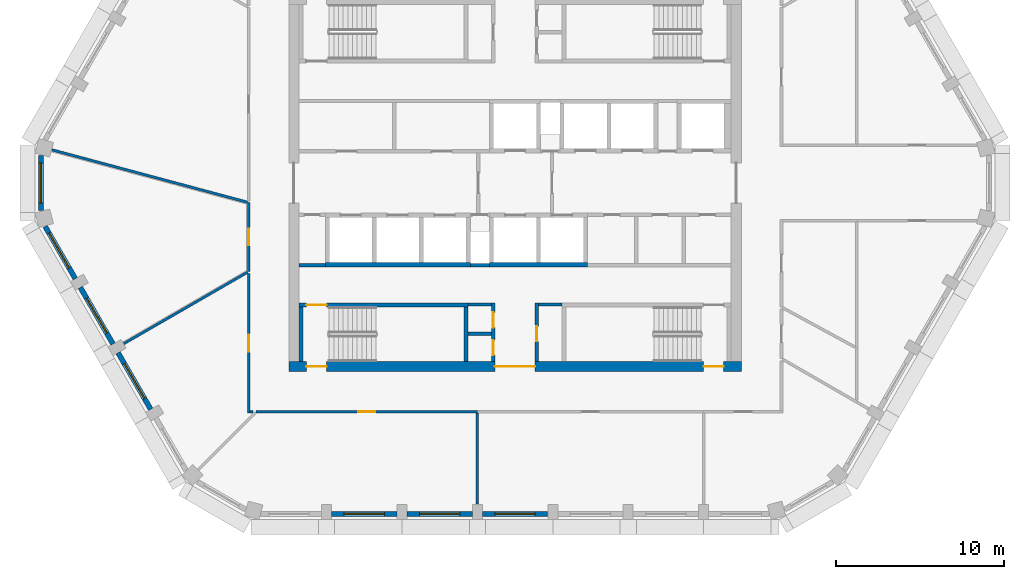
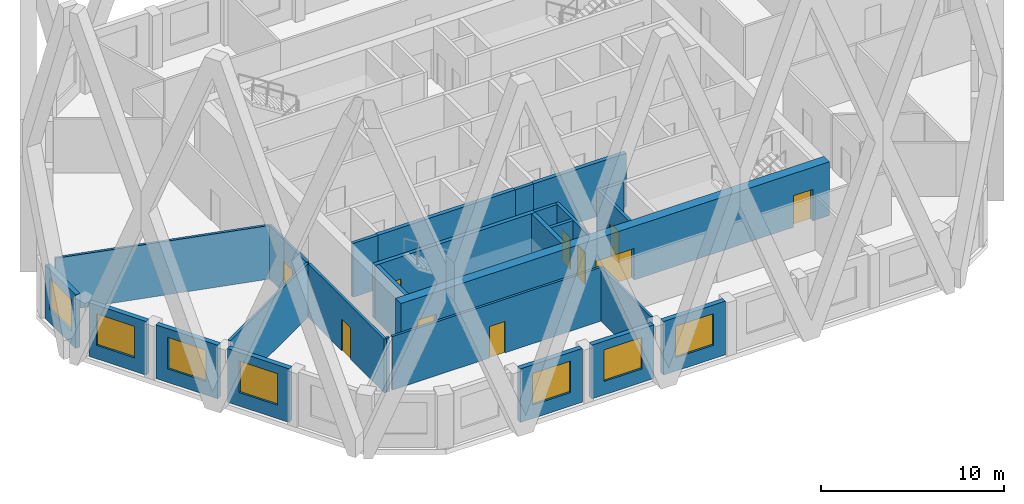
# One storey, part 2 of 14: 27 walls, 10 doors, 7 windows, 17 openings.
"""IFC4 building model written with IfcOpenShell, lengths in metres."""

import ifcopenshell
import ifcopenshell.guid

model = None  # the IFC model being written
_history = None  # IfcOwnerHistory: only IFC2X3 demands one
_inside = {}  # id of a spatial element -> (the spatial element, [elements in it])
_under = {}  # id of a project, library or spatial element -> (it, [spatial elements below it])
_declared = {}  # id of a project -> (the project, [libraries it declares])
_typed = {}  # id of a type object -> (the type object, [elements of that type])
_made_of = {}  # id of a material, layer set ... -> (it, [elements and type objects made of it])


def new_model(schema):
    """Start an empty IFC model of exactly this schema.

    Asked for "IFC4X3", IfcOpenShell would pick the latest addendum, in which some entities
    have other attributes; the version numbers below select the first issue.
    IFC2X3 requires an IfcOwnerHistory on every rooted entity: one is made here for all.
    """
    global model, _history
    if schema == "IFC4X3":
        model = ifcopenshell.file(schema_version=(4, 3, 0, 0))
    else:
        model = ifcopenshell.file(schema=schema)
    _inside.clear()
    _under.clear()
    _declared.clear()
    _typed.clear()
    _made_of.clear()
    _history = None
    if model.schema == "IFC2X3":
        org = make("IfcOrganization", Name="unknown")
        user = make(
            "IfcPersonAndOrganization",
            ThePerson=make("IfcPerson", FamilyName="unknown"),
            TheOrganization=org,
        )
        app = make(
            "IfcApplication",
            ApplicationDeveloper=org,
            Version="unknown",
            ApplicationFullName="unknown",
            ApplicationIdentifier="unknown",
        )
        _history = make(
            "IfcOwnerHistory",
            OwningUser=user,
            OwningApplication=app,
            ChangeAction="ADDED",
            CreationDate=0,
        )
    return model


def make(cls, **values):
    """One entity of the class cls with the attributes given. An attribute that is None is left unset."""
    return model.create_entity(
        cls, **{name: value for name, value in values.items() if value is not None}
    )


def rooted(cls, **values):
    """An entity with a GlobalId (a new one), such as an element, a storey or a relation."""
    return make(cls, GlobalId=ifcopenshell.guid.new(), OwnerHistory=_history, **values)


def si_unit(unit_type, name, prefix=None):
    """IfcSIUnit, for example si_unit("LENGTHUNIT", "METRE", prefix="MILLI")."""
    return make("IfcSIUnit", UnitType=unit_type, Prefix=prefix, Name=name)


def assignment(units):
    """IfcUnitAssignment: the units of a project."""
    return None if units is None else make("IfcUnitAssignment", Units=units)


def point(xyz):
    """IfcCartesianPoint."""
    return None if xyz is None else make("IfcCartesianPoint", Coordinates=xyz)


def direction(xyz):
    """IfcDirection."""
    return None if xyz is None else make("IfcDirection", DirectionRatios=xyz)


def frame(location, z_axis=None, x_axis=None):
    """IfcAxis2Placement3D, a coordinate frame: its origin and axes. An axis left out is left unset."""
    return make(
        "IfcAxis2Placement3D",
        Location=point(location),
        Axis=direction(z_axis),
        RefDirection=direction(x_axis),
    )


def frame_2d(location, x_axis=None):
    """IfcAxis2Placement2D, a coordinate frame in the plane: its origin and x axis."""
    return make(
        "IfcAxis2Placement2D", Location=point(location), RefDirection=direction(x_axis)
    )


def origin():
    """The frame at (0, 0, 0) with its axes left unset."""
    return frame((0.0, 0.0, 0.0))


def place(relative_to, where):
    """IfcLocalPlacement: puts the frame where relative to a parent placement (None: the world)."""
    return make(
        "IfcLocalPlacement", PlacementRelTo=relative_to, RelativePlacement=where
    )


def context(
    kind, dimensions, precision=None, world=None, true_north=None, identifier=None
):
    """IfcGeometricRepresentationContext, for example the 3D "Model" context."""
    return make(
        "IfcGeometricRepresentationContext",
        ContextIdentifier=identifier,
        ContextType=kind,
        CoordinateSpaceDimension=dimensions,
        Precision=precision,
        WorldCoordinateSystem=world,
        TrueNorth=true_north,
    )


def subcontext(parent, identifier, kind, view, scale=None):
    """IfcGeometricRepresentationSubContext, for example "Body" below "Model"."""
    return make(
        "IfcGeometricRepresentationSubContext",
        ContextIdentifier=identifier,
        ContextType=kind,
        ParentContext=parent,
        TargetScale=scale,
        TargetView=view,
    )


def project(units=None, contexts=None):
    """IfcProject with its units and contexts."""
    return rooted(
        "IfcProject",
        Name="project",
        RepresentationContexts=contexts,
        UnitsInContext=assignment(units),
    )


def spatial(cls, under=None, at=None, **own):
    """A site, building, storey or space (cls), placed at a placement, below another one or the project."""
    s = rooted(cls, ObjectPlacement=at, **own)
    if under is not None:
        _under.setdefault(under.id(), (under, []))[1].append(s)
    return s


def polyline(points):
    """IfcPolyline through the points."""
    return make("IfcPolyline", Points=[point(p) for p in points])


def profile(cls, at=None, kind="AREA", **sizes):
    """A parametric profile (cls). Its sizes go by their IFC names, for example OverallWidth=200.0."""
    return make(cls, ProfileType=kind, Position=at, **sizes)


def rectangle(**sizes):
    """IfcRectangleProfileDef."""
    return profile("IfcRectangleProfileDef", **sizes)


def outline(outer, holes=None, kind="AREA"):
    """IfcArbitraryClosedProfileDef: a profile drawn as a closed curve; with holes, ...WithVoids."""
    if holes is None:
        return make("IfcArbitraryClosedProfileDef", ProfileType=kind, OuterCurve=outer)
    return make(
        "IfcArbitraryProfileDefWithVoids",
        ProfileType=kind,
        OuterCurve=outer,
        InnerCurves=holes,
    )


def extrude(swept, where, along, depth):
    """IfcExtrudedAreaSolid: the profile swept, set in the frame where, extruded along a direction by depth."""
    return make(
        "IfcExtrudedAreaSolid",
        SweptArea=swept,
        Position=where,
        ExtrudedDirection=direction(along),
        Depth=depth,
    )


def shape(context_of_items, identifier, shape_type, items):
    """IfcShapeRepresentation: the items that make up one representation, for example the "Body"."""
    return make(
        "IfcShapeRepresentation",
        ContextOfItems=context_of_items,
        RepresentationIdentifier=identifier,
        RepresentationType=shape_type,
        Items=items,
    )


def material(Name=None, Category=None):
    """IfcMaterial."""
    return make("IfcMaterial", Name=Name, Category=Category)


def layer(
    of_material, thickness, ventilated=None, Name=None, Category=None, Priority=None
):
    """IfcMaterialLayer: one layer of a wall or slab, of a material (None: an air gap)."""
    return make(
        "IfcMaterialLayer",
        Material=of_material,
        LayerThickness=thickness,
        IsVentilated=ventilated,
        Name=Name,
        Category=Category,
        Priority=Priority,
    )


def layer_set(layers, Name=None):
    """IfcMaterialLayerSet."""
    return make("IfcMaterialLayerSet", MaterialLayers=layers, LayerSetName=Name)


def made_of(thing, what):
    """Note that an element or type object is made of a material, layer set ...; save() writes the relation."""
    if what is not None:
        _made_of.setdefault(what.id(), (what, []))[1].append(thing)
    return thing


def type_object(cls, material=None, **own):
    """A type object (cls), such as IfcWallType, which elements share."""
    return made_of(rooted(cls, **own), material)


def element(
    cls,
    number,
    at=None,
    inside=None,
    cuts=None,
    type_object=None,
    material=None,
    context=None,
    identifier="Body",
    shape_type=None,
    held_by="IfcProductDefinitionShape",
    body=None,
    shapes=None,
    **own,
):
    """One element of the class cls, such as IfcWall. Its Tag is "e" and its number.

    at: its placement. inside: the storey or other place that contains it. cuts: it is an
    opening in that element (IfcRelVoidsElement). A single representation is given by context,
    identifier, shape_type and body (its items); several are given by shapes. held_by: the class
    of the entity that holds the representations. save() writes the other relations.
    """
    e = rooted(cls, Tag="e%d" % number, ObjectPlacement=at, **own)
    if body is not None:
        shapes = [shape(context, identifier, shape_type, body)]
    if shapes is not None:
        e.Representation = make(held_by, Representations=shapes)
    if inside is not None:
        _inside.setdefault(inside.id(), (inside, []))[1].append(e)
    if cuts is not None:
        rooted(
            "IfcRelVoidsElement", RelatingBuildingElement=cuts, RelatedOpeningElement=e
        )
    if type_object is not None:
        _typed.setdefault(type_object.id(), (type_object, []))[1].append(e)
    return made_of(e, material)


def fill(opening, filler):
    """IfcRelFillsElement: the door or window that sits in an opening."""
    return rooted(
        "IfcRelFillsElement",
        RelatingOpeningElement=opening,
        RelatedBuildingElement=filler,
    )


def aggregate(whole, parts):
    """IfcRelAggregates: a whole, such as a stair, and the parts it consists of."""
    return rooted("IfcRelAggregates", RelatingObject=whole, RelatedObjects=parts)


def save(model, path):
    """Write the relations noted so far, then the file.

    IfcRelAggregates (storeys below a building ...), IfcRelContainedInSpatialStructure (elements
    in a storey), IfcRelDefinesByType, IfcRelAssociatesMaterial and IfcRelDeclares: one each for
    every whole, place, type object, material and project.
    """
    for whole, parts in _under.values():
        aggregate(whole, parts)
    for where, things in _inside.values():
        rooted(
            "IfcRelContainedInSpatialStructure",
            RelatedElements=things,
            RelatingStructure=where,
        )
    for kind, things in _typed.values():
        rooted("IfcRelDefinesByType", RelatedObjects=things, RelatingType=kind)
    for what, things in _made_of.values():
        rooted("IfcRelAssociatesMaterial", RelatedObjects=things, RelatingMaterial=what)
    for by, libraries in _declared.values():
        rooted("IfcRelDeclares", RelatingContext=by, RelatedDefinitions=libraries)
    model.write(path)


model = new_model("IFC4")

# Units and contexts
model_context = context("Model", 3, precision=1e-05, world=origin(), true_north=direction((0.0, 1.0)))
body_context = subcontext(model_context, "Body", "Model", "MODEL_VIEW")
ifc_project = project(units=[si_unit("LENGTHUNIT", "METRE"), si_unit("AREAUNIT", "SQUARE_METRE"), si_unit("VOLUMEUNIT", "CUBIC_METRE"), si_unit("PLANEANGLEUNIT", "RADIAN"), si_unit("MASSUNIT", "GRAM", prefix="KILO")], contexts=[model_context])

# Site, building, storey
site_placement = place(None, origin())
site = spatial("IfcSite", under=ifc_project, at=site_placement, CompositionType="ELEMENT")
building_placement = place(site_placement, origin())
building = spatial("IfcBuilding", under=site, at=building_placement, Name="Dhurran Vertical Campus", CompositionType="ELEMENT")
storey_placement = place(building_placement, frame((0.0, 0.0, 286.5)))
storey = spatial("IfcBuildingStorey", under=building, at=storey_placement, Name="L71", CompositionType="ELEMENT", Elevation=286.5)

# Wall, opening, window
ifc_material_1 = material(Name="Precast concrete C50/60", Category="concrete")
ifc_layer_1 = layer(ifc_material_1, 0.300048828125)
ifc_layer_set_1 = layer_set([ifc_layer_1], Name="Precast concrete C50/60")
wall_type_1 = type_object("IfcWallType", Name="Precast spandrel wall 300", PredefinedType="SOLIDWALL", material=ifc_layer_set_1)
wall_1_placement = place(storey_placement, frame((-10.949462890625, -19.738525390625, 0.0), z_axis=(0.0, 0.0, 1.0), x_axis=(1.0, 0.0, 0.0)))
wall_1 = element("IfcWall", 1, at=wall_1_placement, inside=storey, type_object=wall_type_1, Name="EW1 L71.01", PredefinedType="SOLIDWALL", context=body_context, shape_type="SweptSolid", body=[
    extrude(rectangle(XDim=3.89892578125, YDim=0.300048828125, at=frame_2d((1.949462890625, 0.0))), origin(), (0.0, 0.0, 1.0), 3.574951171875),
])
opening_1_placement = place(wall_1_placement, frame((0.74951171875, 0.0, 0.89990234375)))
opening_1 = element("IfcOpeningElement", 2, at=opening_1_placement, cuts=wall_1, Name="Opening WT1", PredefinedType="OPENING", context=body_context, shape_type="SweptSolid", body=[
    extrude(rectangle(XDim=2.39990234375, YDim=2.10009765625, at=frame_2d((1.199951171875, 1.050048828125))), frame((0.0, 0.159912109375, 0.0), z_axis=(0.0, -1.0, 0.0), x_axis=(1.0, 0.0, 0.0)), (0.0, 0.0, 1.0), 0.320068359375),
])
ifc_material_2 = material(Name="Aluminium frame with solar-control glass", Category="aluminium")
window_type = type_object("IfcWindowType", Name="Punched window 2400 x 2100", PartitioningType="SINGLE_PANEL", PredefinedType="WINDOW", material=ifc_material_2)
window_1_placement = place(opening_1_placement, origin())
window_1 = element("IfcWindow", 3, at=window_1_placement, inside=storey, type_object=window_type, Name="WT1 L71.01", OverallHeight=2.10009765625, OverallWidth=2.39990234375, PartitioningType="SINGLE_PANEL", PredefinedType="WINDOW", context=body_context, shape_type="SweptSolid", body=[
    extrude(rectangle(XDim=2.39990234375, YDim=2.10009765625, at=frame_2d((1.199951171875, 1.050048828125))), frame((0.0, 0.030029296875, 0.0), z_axis=(0.0, -1.0, 0.0), x_axis=(1.0, 0.0, 0.0)), (0.0, 0.0, 1.0), 0.06005859375),
])
fill(opening_1, window_1)

wall_2_placement = place(storey_placement, frame((-6.449462890625, -19.738525390625, 0.0), z_axis=(0.0, 0.0, 1.0), x_axis=(1.0, 0.0, 0.0)))
wall_2 = element("IfcWall", 4, at=wall_2_placement, inside=storey, type_object=wall_type_1, Name="EW1 L71.02", PredefinedType="SOLIDWALL", context=body_context, shape_type="SweptSolid", body=[
    extrude(rectangle(XDim=3.89892578125, YDim=0.300048828125, at=frame_2d((1.949462890625, 0.0))), origin(), (0.0, 0.0, 1.0), 3.574951171875),
])
opening_2_placement = place(wall_2_placement, frame((0.74951171875, 0.0, 0.89990234375)))
opening_2 = element("IfcOpeningElement", 5, at=opening_2_placement, cuts=wall_2, Name="Opening WT1", PredefinedType="OPENING", context=body_context, shape_type="SweptSolid", body=[
    extrude(rectangle(XDim=2.39990234375, YDim=2.10009765625, at=frame_2d((1.199951171875, 1.050048828125))), frame((0.0, 0.159912109375, 0.0), z_axis=(0.0, -1.0, 0.0), x_axis=(1.0, 0.0, 0.0)), (0.0, 0.0, 1.0), 0.320068359375),
])
window_2_placement = place(opening_2_placement, origin())
window_2 = element("IfcWindow", 6, at=window_2_placement, inside=storey, type_object=window_type, Name="WT1 L71.02", OverallHeight=2.10009765625, OverallWidth=2.39990234375, PartitioningType="SINGLE_PANEL", PredefinedType="WINDOW", context=body_context, shape_type="SweptSolid", body=[
    extrude(rectangle(XDim=2.39990234375, YDim=2.10009765625, at=frame_2d((1.199951171875, 1.050048828125))), frame((0.0, 0.030029296875, 0.0), z_axis=(0.0, -1.0, 0.0), x_axis=(1.0, 0.0, 0.0)), (0.0, 0.0, 1.0), 0.06005859375),
])
fill(opening_2, window_2)

wall_3_placement = place(storey_placement, frame((-1.949462890625, -19.738525390625, 0.0), z_axis=(0.0, 0.0, 1.0), x_axis=(1.0, 0.0, 0.0)))
wall_3 = element("IfcWall", 7, at=wall_3_placement, inside=storey, type_object=wall_type_1, Name="EW1 L71.03", PredefinedType="SOLIDWALL", context=body_context, shape_type="SweptSolid", body=[
    extrude(rectangle(XDim=3.89892578125, YDim=0.300048828125, at=frame_2d((1.949462890625, 0.0))), origin(), (0.0, 0.0, 1.0), 3.574951171875),
])
opening_3_placement = place(wall_3_placement, frame((0.74951171875, 0.0, 0.89990234375)))
opening_3 = element("IfcOpeningElement", 8, at=opening_3_placement, cuts=wall_3, Name="Opening WT1", PredefinedType="OPENING", context=body_context, shape_type="SweptSolid", body=[
    extrude(rectangle(XDim=2.39990234375, YDim=2.10009765625, at=frame_2d((1.199951171875, 1.050048828125))), frame((0.0, 0.159912109375, 0.0), z_axis=(0.0, -1.0, 0.0), x_axis=(1.0, 0.0, 0.0)), (0.0, 0.0, 1.0), 0.320068359375),
])
window_3_placement = place(opening_3_placement, origin())
window_3 = element("IfcWindow", 9, at=window_3_placement, inside=storey, type_object=window_type, Name="WT1 L71.03", OverallHeight=2.10009765625, OverallWidth=2.39990234375, PartitioningType="SINGLE_PANEL", PredefinedType="WINDOW", context=body_context, shape_type="SweptSolid", body=[
    extrude(rectangle(XDim=2.39990234375, YDim=2.10009765625, at=frame_2d((1.199951171875, 1.050048828125))), frame((0.0, 0.030029296875, 0.0), z_axis=(0.0, -1.0, 0.0), x_axis=(1.0, 0.0, 0.0)), (0.0, 0.0, 1.0), 0.06005859375),
])
fill(opening_3, window_3)

wall_4_placement = place(storey_placement, frame((-28.297119140625, 1.64990234375, 0.0), z_axis=(0.0, 0.0, 1.0), x_axis=(0.0, -1.0, 0.0)))
wall_4 = element("IfcWall", 10, at=wall_4_placement, inside=storey, type_object=wall_type_1, Name="EW1 L71.30", PredefinedType="SOLIDWALL", context=body_context, shape_type="SweptSolid", body=[
    extrude(rectangle(XDim=3.2998046875, YDim=0.300048828125, at=frame_2d((1.64990234375, 0.0))), origin(), (0.0, 0.0, 1.0), 3.574951171875),
])
opening_4_placement = place(wall_4_placement, frame((0.449951171875, 0.0, 0.89990234375)))
opening_4 = element("IfcOpeningElement", 11, at=opening_4_placement, cuts=wall_4, Name="Opening WT1", PredefinedType="OPENING", context=body_context, shape_type="SweptSolid", body=[
    extrude(rectangle(XDim=2.39990234375, YDim=2.10009765625, at=frame_2d((1.199951171875, 1.050048828125))), frame((0.0, 0.159912109375, 0.0), z_axis=(0.0, -1.0, 0.0), x_axis=(1.0, 0.0, 0.0)), (0.0, 0.0, 1.0), 0.320068359375),
])
window_4_placement = place(opening_4_placement, origin())
window_4 = element("IfcWindow", 12, at=window_4_placement, inside=storey, type_object=window_type, Name="WT1 L71.30", OverallHeight=2.10009765625, OverallWidth=2.39990234375, PartitioningType="SINGLE_PANEL", PredefinedType="WINDOW", context=body_context, shape_type="SweptSolid", body=[
    extrude(rectangle(XDim=2.39990234375, YDim=2.10009765625, at=frame_2d((1.199951171875, 1.050048828125))), frame((0.0, 0.030029296875, 0.0), z_axis=(0.0, -1.0, 0.0), x_axis=(1.0, 0.0, 0.0)), (0.0, 0.0, 1.0), 0.06005859375),
])
fill(opening_4, window_4)

wall_5_placement = place(storey_placement, frame((-28.0439453125, -2.5947265625, 0.0), z_axis=(0.0, 0.0, 1.0), x_axis=(0.499969057507, -0.866043267704, 0.0)))
wall_5 = element("IfcWall", 13, at=wall_5_placement, inside=storey, type_object=wall_type_1, Name="EW1 L71.31", PredefinedType="SOLIDWALL", context=body_context, shape_type="SweptSolid", body=[
    extrude(rectangle(XDim=3.599365234375, YDim=0.300048828125, at=frame_2d((1.7998046875, 0.0))), origin(), (0.0, 0.0, 1.0), 3.574951171875),
])
opening_5_placement = place(wall_5_placement, frame((0.449951171875, 0.0, 0.89990234375)))
opening_5 = element("IfcOpeningElement", 14, at=opening_5_placement, cuts=wall_5, Name="Opening WT1", PredefinedType="OPENING", context=body_context, shape_type="SweptSolid", body=[
    extrude(rectangle(XDim=2.39990234375, YDim=2.10009765625, at=frame_2d((1.199951171875, 1.050048828125))), frame((0.0, 0.159912109375, 0.0), z_axis=(0.0, -1.0, 0.0), x_axis=(1.0, 0.0, 0.0)), (0.0, 0.0, 1.0), 0.320068359375),
])
window_5_placement = place(opening_5_placement, origin())
window_5 = element("IfcWindow", 15, at=window_5_placement, inside=storey, type_object=window_type, Name="WT1 L71.31", OverallHeight=2.10009765625, OverallWidth=2.39990234375, PartitioningType="SINGLE_PANEL", PredefinedType="WINDOW", context=body_context, shape_type="SweptSolid", body=[
    extrude(rectangle(XDim=2.39990234375, YDim=2.10009765625, at=frame_2d((1.199951171875, 1.050048828125))), frame((0.0, 0.030029296875, 0.0), z_axis=(0.0, -1.0, 0.0), x_axis=(1.0, 0.0, 0.0)), (0.0, 0.0, 1.0), 0.06005859375),
])
fill(opening_5, window_5)

wall_6_placement = place(storey_placement, frame((-25.94384765625, -6.232421875, 0.0), z_axis=(0.0, 0.0, 1.0), x_axis=(0.500011542666, -0.866018739521, 0.0)))
wall_6 = element("IfcWall", 16, at=wall_6_placement, inside=storey, type_object=wall_type_1, Name="EW1 L71.32", PredefinedType="SOLIDWALL", context=body_context, shape_type="SweptSolid", body=[
    extrude(rectangle(XDim=3.89892578125, YDim=0.300048828125, at=frame_2d((1.949462890625, 0.0))), origin(), (0.0, 0.0, 1.0), 3.574951171875),
])
opening_6_placement = place(wall_6_placement, frame((0.74951171875, 0.0, 0.89990234375)))
opening_6 = element("IfcOpeningElement", 17, at=opening_6_placement, cuts=wall_6, Name="Opening WT1", PredefinedType="OPENING", context=body_context, shape_type="SweptSolid", body=[
    extrude(rectangle(XDim=2.39990234375, YDim=2.10009765625, at=frame_2d((1.199951171875, 1.050048828125))), frame((0.0, 0.159912109375, 0.0), z_axis=(0.0, -1.0, 0.0), x_axis=(1.0, 0.0, 0.0)), (0.0, 0.0, 1.0), 0.320068359375),
])
window_6_placement = place(opening_6_placement, origin())
window_6 = element("IfcWindow", 18, at=window_6_placement, inside=storey, type_object=window_type, Name="WT1 L71.32", OverallHeight=2.10009765625, OverallWidth=2.39990234375, PartitioningType="SINGLE_PANEL", PredefinedType="WINDOW", context=body_context, shape_type="SweptSolid", body=[
    extrude(rectangle(XDim=2.39990234375, YDim=2.10009765625, at=frame_2d((1.199951171875, 1.050048828125))), frame((0.0, 0.030029296875, 0.0), z_axis=(0.0, -1.0, 0.0), x_axis=(1.0, 0.0, 0.0)), (0.0, 0.0, 1.0), 0.06005859375),
])
fill(opening_6, window_6)

wall_7_placement = place(storey_placement, frame((-23.69384765625, -10.12939453125, 0.0), z_axis=(0.0, 0.0, 1.0), x_axis=(0.499984428715, -0.866034393683, 0.0)))
wall_7 = element("IfcWall", 19, at=wall_7_placement, inside=storey, type_object=wall_type_1, Name="EW1 L71.33", PredefinedType="SOLIDWALL", context=body_context, shape_type="SweptSolid", body=[
    extrude(rectangle(XDim=3.89892578125, YDim=0.300048828125, at=frame_2d((1.949462890625, 0.0))), origin(), (0.0, 0.0, 1.0), 3.574951171875),
])
opening_7_placement = place(wall_7_placement, frame((0.74951171875, 0.0, 0.89990234375)))
opening_7 = element("IfcOpeningElement", 20, at=opening_7_placement, cuts=wall_7, Name="Opening WT1", PredefinedType="OPENING", context=body_context, shape_type="SweptSolid", body=[
    extrude(rectangle(XDim=2.39990234375, YDim=2.10009765625, at=frame_2d((1.199951171875, 1.050048828125))), frame((0.0, 0.159912109375, 0.0), z_axis=(0.0, -1.0, 0.0), x_axis=(1.0, 0.0, 0.0)), (0.0, 0.0, 1.0), 0.320068359375),
])
window_7_placement = place(opening_7_placement, origin())
window_7 = element("IfcWindow", 21, at=window_7_placement, inside=storey, type_object=window_type, Name="WT1 L71.33", OverallHeight=2.10009765625, OverallWidth=2.39990234375, PartitioningType="SINGLE_PANEL", PredefinedType="WINDOW", context=body_context, shape_type="SweptSolid", body=[
    extrude(rectangle(XDim=2.39990234375, YDim=2.10009765625, at=frame_2d((1.199951171875, 1.050048828125))), frame((0.0, 0.030029296875, 0.0), z_axis=(0.0, -1.0, 0.0), x_axis=(1.0, 0.0, 0.0)), (0.0, 0.0, 1.0), 0.06005859375),
])
fill(opening_7, window_7)

# Wall, openings, doors
ifc_material_3 = material(Name="Concrete C50/60", Category="concrete")
ifc_layer_2 = layer(ifc_material_3, 0.60009765625)
ifc_layer_set_2 = layer_set([ifc_layer_2], Name="Concrete C50/60")
wall_type_2 = type_object("IfcWallType", Name="co-CORE-WALL-C2-600", PredefinedType="SHEAR", material=ifc_layer_set_2)
wall_8_placement = place(storey_placement, frame((-13.5, -10.949951171875, 0.0), z_axis=(0.0, 0.0, 1.0), x_axis=(1.0, 0.0, 0.0)))
wall_8 = element("IfcWall", 22, at=wall_8_placement, inside=storey, type_object=wall_type_2, Name="Core wall S L71", PredefinedType="SHEAR", context=body_context, shape_type="SweptSolid", body=[
    extrude(rectangle(XDim=27.0, YDim=0.60009765625, at=frame_2d((13.5, 0.0))), origin(), (0.0, 0.0, 1.0), 3.574951171875),
])
opening_8_placement = place(wall_8_placement, frame((12.300048828125, 0.0, 0.0)))
opening_8 = element("IfcOpeningElement", 23, at=opening_8_placement, cuts=wall_8, Name="Opening CV2", PredefinedType="OPENING", context=body_context, shape_type="SweptSolid", body=[
    extrude(rectangle(XDim=2.39990234375, YDim=2.10009765625, at=frame_2d((1.199951171875, 1.050048828125))), frame((0.0, 0.31005859375, 0.0), z_axis=(0.0, -1.0, 0.0), x_axis=(1.0, 0.0, 0.0)), (0.0, 0.0, 1.0), 0.6201171875),
])
opening_9_placement = place(wall_8_placement, frame((1.050048828125, 0.0, 0.0)))
opening_9 = element("IfcOpeningElement", 24, at=opening_9_placement, cuts=wall_8, Name="Opening XD3", PredefinedType="OPENING", context=body_context, shape_type="SweptSolid", body=[
    extrude(rectangle(XDim=1.199951171875, YDim=2.10009765625, at=frame_2d((0.60009765625, 1.050048828125))), frame((0.0, 0.31005859375, 0.0), z_axis=(0.0, -1.0, 0.0), x_axis=(1.0, 0.0, 0.0)), (0.0, 0.0, 1.0), 0.6201171875),
])
opening_10_placement = place(wall_8_placement, frame((24.75, 0.0, 0.0)))
opening_10 = element("IfcOpeningElement", 25, at=opening_10_placement, cuts=wall_8, Name="Opening XD4", PredefinedType="OPENING", context=body_context, shape_type="SweptSolid", body=[
    extrude(rectangle(XDim=1.199951171875, YDim=2.10009765625, at=frame_2d((0.60009765625, 1.050048828125))), frame((0.0, 0.31005859375, 0.0), z_axis=(0.0, -1.0, 0.0), x_axis=(1.0, 0.0, 0.0)), (0.0, 0.0, 1.0), 0.6201171875),
])
ifc_material_4 = material(Name="Fire-rated glazed door set")
door_type_1 = type_object("IfcDoorType", Name="co-D-LOBBY 2400x2100", OperationType="DOUBLE_DOOR_DOUBLE_SWING", PredefinedType="DOOR", material=ifc_material_4)
door_1_placement = place(opening_8_placement, origin())
door_1 = element("IfcDoor", 26, at=door_1_placement, inside=storey, type_object=door_type_1, Name="Core vestibule door S L71", OperationType="DOUBLE_DOOR_DOUBLE_SWING", OverallHeight=2.10009765625, OverallWidth=2.39990234375, PredefinedType="DOOR", context=body_context, shape_type="SweptSolid", body=[
    extrude(rectangle(XDim=2.39990234375, YDim=2.10009765625, at=frame_2d((1.199951171875, 1.050048828125))), frame((0.0, 0.02490234375, 0.0), z_axis=(0.0, -1.0, 0.0), x_axis=(1.0, 0.0, 0.0)), (0.0, 0.0, 1.0), 0.050048828125),
])
fill(opening_8, door_1)
ifc_material_5 = material(Name="Fire-rated steel door set", Category="steel")
door_type_2 = type_object("IfcDoorType", Name="co-D-STAIR-EXIT 1200x2100", OperationType="SINGLE_SWING_RIGHT", PredefinedType="DOOR", material=ifc_material_5)
door_2_placement = place(opening_9_placement, origin())
door_2 = element("IfcDoor", 27, at=door_2_placement, inside=storey, type_object=door_type_2, Name="Stair ST3 exit door L71", OperationType="SINGLE_SWING_RIGHT", OverallHeight=2.10009765625, OverallWidth=1.199951171875, PredefinedType="DOOR", context=body_context, shape_type="SweptSolid", body=[
    extrude(rectangle(XDim=1.199951171875, YDim=2.10009765625, at=frame_2d((0.60009765625, 1.050048828125))), frame((0.0, 0.02490234375, 0.0), z_axis=(0.0, -1.0, 0.0), x_axis=(1.0, 0.0, 0.0)), (0.0, 0.0, 1.0), 0.050048828125),
])
fill(opening_9, door_2)
door_3_placement = place(opening_10_placement, origin())
door_3 = element("IfcDoor", 28, at=door_3_placement, inside=storey, type_object=door_type_2, Name="Stair ST4 exit door L71", OperationType="SINGLE_SWING_RIGHT", OverallHeight=2.10009765625, OverallWidth=1.199951171875, PredefinedType="DOOR", context=body_context, shape_type="SweptSolid", body=[
    extrude(rectangle(XDim=1.199951171875, YDim=2.10009765625, at=frame_2d((0.60009765625, 1.050048828125))), frame((0.0, 0.02490234375, 0.0), z_axis=(0.0, -1.0, 0.0), x_axis=(1.0, 0.0, 0.0)), (0.0, 0.0, 1.0), 0.050048828125),
])
fill(opening_10, door_3)

# Walls
ifc_material_6 = material(Name="Fire-rated masonry blockwork", Category="masonry")
ifc_layer_3 = layer(ifc_material_6, 0.199951171875)
ifc_layer_set_3 = layer_set([ifc_layer_3], Name="Fire-rated masonry blockwork")
wall_type_3 = type_object("IfcWallType", Name="co-FIRE-PARTITION-200", PredefinedType="PARTITIONING", material=ifc_layer_set_3)
for number, where, z_axis, x_axis, name in (
    (29, (-2.800048828125, -7.25, 0.0), (0.0, 0.0, 1.0), (1.0, 0.0, 0.0), "Core partition sl-SW-S L71"),
    (30, (-2.800048828125, -9.0, 0.0), (0.0, 0.0, 1.0), (1.0, 0.0, 0.0), "Core partition sl-SW-cut0 L71"),
    (31, (1.39990234375, -7.25, 0.0), (0.0, 0.0, 1.0), (1.0, 0.0, 0.0), "Core partition sl-SE-S L71"),
):
    element("IfcWall", number, at=place(storey_placement, frame(where, z_axis=z_axis, x_axis=x_axis)), inside=storey, type_object=wall_type_3, Name=name, PredefinedType="PARTITIONING", context=body_context, shape_type="SweptSolid", body=[
        extrude(rectangle(XDim=1.400146484375, YDim=0.199951171875, at=frame_2d((0.7001953125, 0.0))), origin(), (0.0, 0.0, 1.0), 3.574951171875),
    ])

# Wall, openings, doors
wall_9_placement = place(storey_placement, frame((-1.300048828125, -10.64990234375, 0.0), z_axis=(0.0, 0.0, 1.0), x_axis=(0.0, 1.0, 0.0)))
wall_9 = element("IfcWall", 32, at=wall_9_placement, inside=storey, type_object=wall_type_3, Name="Core partition vest-SW L71", PredefinedType="PARTITIONING", context=body_context, shape_type="SweptSolid", body=[
    extrude(rectangle(XDim=3.5, YDim=0.199951171875, at=frame_2d((1.75, 0.0))), origin(), (0.0, 0.0, 1.0), 3.574951171875),
])
opening_11_placement = place(wall_9_placement, frame((0.375, 0.0, 0.0)))
opening_11 = element("IfcOpeningElement", 33, at=opening_11_placement, cuts=wall_9, Name="Opening T21-C1", PredefinedType="OPENING", context=body_context, shape_type="SweptSolid", body=[
    extrude(rectangle(XDim=0.89990234375, YDim=2.10009765625, at=frame_2d((0.449951171875, 1.050048828125))), frame((0.0, 0.10986328125, 0.0), z_axis=(0.0, -1.0, 0.0), x_axis=(1.0, 0.0, 0.0)), (0.0, 0.0, 1.0), 0.219970703125),
])
opening_12_placement = place(wall_9_placement, frame((2.02490234375, 0.0, 0.0)))
opening_12 = element("IfcOpeningElement", 34, at=opening_12_placement, cuts=wall_9, Name="Opening T21-C2", PredefinedType="OPENING", context=body_context, shape_type="SweptSolid", body=[
    extrude(rectangle(XDim=0.89990234375, YDim=2.10009765625, at=frame_2d((0.449951171875, 1.050048828125))), frame((0.0, 0.10986328125, 0.0), z_axis=(0.0, -1.0, 0.0), x_axis=(1.0, 0.0, 0.0)), (0.0, 0.0, 1.0), 0.219970703125),
])
ifc_material_7 = material(Name="Fire-rated timber door set", Category="wood")
door_type_3 = type_object("IfcDoorType", Name="co-D-ROOM 900x2100", OperationType="SINGLE_SWING_LEFT", PredefinedType="DOOR", material=ifc_material_7)
door_4_placement = place(opening_11_placement, origin())
door_4 = element("IfcDoor", 35, at=door_4_placement, inside=storey, type_object=door_type_3, Name="Waste room door L71", OperationType="SINGLE_SWING_LEFT", OverallHeight=2.10009765625, OverallWidth=0.89990234375, PredefinedType="DOOR", context=body_context, shape_type="SweptSolid", body=[
    extrude(rectangle(XDim=0.89990234375, YDim=2.10009765625, at=frame_2d((0.449951171875, 1.050048828125))), frame((0.0, 0.02490234375, 0.0), z_axis=(0.0, -1.0, 0.0), x_axis=(1.0, 0.0, 0.0)), (0.0, 0.0, 1.0), 0.050048828125),
])
fill(opening_11, door_4)
door_5_placement = place(opening_12_placement, origin())
door_5 = element("IfcDoor", 36, at=door_5_placement, inside=storey, type_object=door_type_3, Name="Pantry door L71", OperationType="SINGLE_SWING_LEFT", OverallHeight=2.10009765625, OverallWidth=0.89990234375, PredefinedType="DOOR", context=body_context, shape_type="SweptSolid", body=[
    extrude(rectangle(XDim=0.89990234375, YDim=2.10009765625, at=frame_2d((0.449951171875, 1.050048828125))), frame((0.0, 0.02490234375, 0.0), z_axis=(0.0, -1.0, 0.0), x_axis=(1.0, 0.0, 0.0)), (0.0, 0.0, 1.0), 0.050048828125),
])
fill(opening_12, door_5)

# Wall, opening, door
wall_10_placement = place(storey_placement, frame((1.300048828125, -10.64990234375, 0.0), z_axis=(0.0, 0.0, 1.0), x_axis=(0.0, 1.0, 0.0)))
wall_10 = element("IfcWall", 37, at=wall_10_placement, inside=storey, type_object=wall_type_3, Name="Core partition vest-SE L71", PredefinedType="PARTITIONING", context=body_context, shape_type="SweptSolid", body=[
    extrude(rectangle(XDim=3.5, YDim=0.199951171875, at=frame_2d((1.75, 0.0))), origin(), (0.0, 0.0, 1.0), 3.574951171875),
])
opening_13_placement = place(wall_10_placement, frame((1.199951171875, 0.0, 0.0)))
opening_13 = element("IfcOpeningElement", 38, at=opening_13_placement, cuts=wall_10, Name="Opening T21-C3", PredefinedType="OPENING", context=body_context, shape_type="SweptSolid", body=[
    extrude(rectangle(XDim=0.89990234375, YDim=2.10009765625, at=frame_2d((0.449951171875, 1.050048828125))), frame((0.0, 0.10986328125, 0.0), z_axis=(0.0, -1.0, 0.0), x_axis=(1.0, 0.0, 0.0)), (0.0, 0.0, 1.0), 0.219970703125),
])
door_6_placement = place(opening_13_placement, origin())
door_6 = element("IfcDoor", 39, at=door_6_placement, inside=storey, type_object=door_type_3, Name="Cleaner's store door L71", OperationType="SINGLE_SWING_LEFT", OverallHeight=2.10009765625, OverallWidth=0.89990234375, PredefinedType="DOOR", context=body_context, shape_type="SweptSolid", body=[
    extrude(rectangle(XDim=0.89990234375, YDim=2.10009765625, at=frame_2d((0.449951171875, 1.050048828125))), frame((0.0, 0.02490234375, 0.0), z_axis=(0.0, -1.0, 0.0), x_axis=(1.0, 0.0, 0.0)), (0.0, 0.0, 1.0), 0.050048828125),
])
fill(opening_13, door_6)

# Walls
wall_11_placement = place(storey_placement, frame((-12.89990234375, -4.89990234375, 0.0), z_axis=(0.0, 0.0, 1.0), x_axis=(1.0, 0.0, 0.0)))
element("IfcWall", 40, at=wall_11_placement, inside=storey, type_object=wall_type_3, Name="Core partition fr-S0-b L71", PredefinedType="PARTITIONING", context=body_context, shape_type="SweptSolid", body=[
    extrude(rectangle(XDim=1.574951171875, YDim=0.199951171875, at=frame_2d((0.78759765625, 0.0))), origin(), (0.0, 0.0, 1.0), 3.574951171875),
])
wall_12_placement = place(storey_placement, frame((-2.675048828125, -4.89990234375, 0.0), z_axis=(0.0, 0.0, 1.0), x_axis=(1.0, 0.0, 0.0)))
element("IfcWall", 41, at=wall_12_placement, inside=storey, type_object=wall_type_3, Name="Core partition fr-S1-b L71", PredefinedType="PARTITIONING", context=body_context, shape_type="SweptSolid", body=[
    extrude(rectangle(XDim=1.150146484375, YDim=0.199951171875, at=frame_2d((0.5751953125, 0.0))), origin(), (0.0, 0.0, 1.0), 3.574951171875),
])
ifc_material_8 = material(Name="Concrete C50/60", Category="concrete")
ifc_layer_4 = layer(ifc_material_8, 0.25)
ifc_layer_set_4 = layer_set([ifc_layer_4], Name="Concrete C50/60")
wall_type_4 = type_object("IfcWallType", Name="co-SHAFT-MASS-250", PredefinedType="SHEAR", material=ifc_layer_set_4)
wall_13_placement = place(storey_placement, origin())
element("IfcWall", 42, at=wall_13_placement, inside=storey, type_object=wall_type_4, Name="Lift shaft wall S L71 1", PredefinedType="SHEAR", context=body_context, shape_type="SweptSolid", body=[
    extrude(outline(polyline([(-11.324951171875, -5.0), (-2.675048828125, -5.0), (-2.675048828125, -4.75), (-11.324951171875, -4.75), (-11.324951171875, -5.0)])), origin(), (0.0, 0.0, 1.0), 3.574951171875),
])
wall_14_placement = place(storey_placement, origin())
element("IfcWall", 43, at=wall_14_placement, inside=storey, type_object=wall_type_4, Name="Lift shaft wall S L71 2", PredefinedType="SHEAR", context=body_context, shape_type="SweptSolid", body=[
    extrude(outline(polyline([(-1.52490234375, -5.0), (4.324951171875, -5.0), (4.324951171875, -4.75), (-1.52490234375, -4.75), (-1.52490234375, -5.0)])), origin(), (0.0, 0.0, 1.0), 3.574951171875),
])

# Wall, opening, door
ifc_material_9 = material(Name="Concrete C40/50", Category="concrete")
ifc_layer_5 = layer(ifc_material_9, 0.25)
ifc_layer_set_5 = layer_set([ifc_layer_5], Name="Concrete C40/50")
wall_type_5 = type_object("IfcWallType", Name="co-STAIR-WALL-250", PredefinedType="SHEAR", material=ifc_layer_set_5)
wall_15_placement = place(storey_placement, frame((-12.89990234375, -7.27490234375, 0.0), z_axis=(0.0, 0.0, 1.0), x_axis=(1.0, 0.0, 0.0)))
wall_15 = element("IfcWall", 44, at=wall_15_placement, inside=storey, type_object=wall_type_5, Name="Stair ST3 enclosure wall L71", PredefinedType="SHEAR", context=body_context, shape_type="SweptSolid", body=[
    extrude(rectangle(XDim=10.099853515625, YDim=0.25, at=frame_2d((5.0498046875, 0.0))), origin(), (0.0, 0.0, 1.0), 3.574951171875),
])
opening_14_placement = place(wall_15_placement, frame((0.449951171875, 0.0, 0.0)))
opening_14 = element("IfcOpeningElement", 45, at=opening_14_placement, cuts=wall_15, Name="Opening SD3", PredefinedType="OPENING", context=body_context, shape_type="SweptSolid", body=[
    extrude(rectangle(XDim=1.199951171875, YDim=2.10009765625, at=frame_2d((0.60009765625, 1.050048828125))), frame((0.0, 0.135009765625, 0.0), z_axis=(0.0, -1.0, 0.0), x_axis=(1.0, 0.0, 0.0)), (0.0, 0.0, 1.0), 0.27001953125),
])
ifc_material_10 = material(Name="Fire-rated steel door set", Category="steel")
door_type_4 = type_object("IfcDoorType", Name="co-D-STAIR 1200x2100", OperationType="SINGLE_SWING_LEFT", PredefinedType="DOOR", material=ifc_material_10)
door_7_placement = place(opening_14_placement, origin())
door_7 = element("IfcDoor", 46, at=door_7_placement, inside=storey, type_object=door_type_4, Name="Stair ST3 door L71", OperationType="SINGLE_SWING_LEFT", OverallHeight=2.10009765625, OverallWidth=1.199951171875, PredefinedType="DOOR", context=body_context, shape_type="SweptSolid", body=[
    extrude(rectangle(XDim=1.199951171875, YDim=2.10009765625, at=frame_2d((0.60009765625, 1.050048828125))), frame((0.0, 0.02490234375, 0.0), z_axis=(0.0, -1.0, 0.0), x_axis=(1.0, 0.0, 0.0)), (0.0, 0.0, 1.0), 0.050048828125),
])
fill(opening_14, door_7)

# Walls
for number, where, z_axis, x_axis, name in (
    (47, (-12.77490234375, -10.64990234375, 0.0), (0.0, 0.0, 1.0), (0.0, 1.0, 0.0), "Stair ST3 enclosure wall L71"),
    (48, (-2.925048828125, -10.64990234375, 0.0), (0.0, 0.0, 1.0), (0.0, 1.0, 0.0), "Stair ST3 enclosure wall L71"),
):
    element("IfcWall", number, at=place(storey_placement, frame(where, z_axis=z_axis, x_axis=x_axis)), inside=storey, type_object=wall_type_5, Name=name, PredefinedType="SHEAR", context=body_context, shape_type="SweptSolid", body=[
        extrude(rectangle(XDim=3.25, YDim=0.25, at=frame_2d((1.625, 0.0))), origin(), (0.0, 0.0, 1.0), 3.574951171875),
    ])

# Wall, opening, door
ifc_material_11 = material(Name="Gypsum board corridor wall on steel studs", Category="steel")
ifc_layer_6 = layer(ifc_material_11, 0.14990234375)
ifc_layer_set_6 = layer_set([ifc_layer_6], Name="Gypsum board corridor wall on steel studs")
wall_type_6 = type_object("IfcWallType", Name="fl-CW-150 corridor wall", PredefinedType="PARTITIONING", material=ifc_layer_set_6)
wall_16_placement = place(storey_placement, frame((-15.89990234375, -5.4130859375, 0.0), z_axis=(0.0, 0.0, 1.0), x_axis=(0.0, -1.0, 0.0)))
wall_16 = element("IfcWall", 49, at=wall_16_placement, inside=storey, type_object=wall_type_6, Name="Partition 71-05", PredefinedType="PARTITIONING", context=body_context, shape_type="SweptSolid", body=[
    extrude(rectangle(XDim=8.31201171875, YDim=0.14990234375, at=frame_2d((4.156005859375, 0.0))), origin(), (0.0, 0.0, 1.0), 3.574951171875),
])
opening_15_placement = place(wall_16_placement, frame((3.656005859375, 0.0, 0.0)))
opening_15 = element("IfcOpeningElement", 50, at=opening_15_placement, cuts=wall_16, Name="Opening T21.03", PredefinedType="OPENING", context=body_context, shape_type="SweptSolid", body=[
    extrude(rectangle(XDim=1.0, YDim=2.10009765625, at=frame_2d((0.5, 1.050048828125))), frame((0.0, 0.0849609375, 0.0), z_axis=(0.0, -1.0, 0.0), x_axis=(1.0, 0.0, 0.0)), (0.0, 0.0, 1.0), 0.169921875),
])
ifc_material_12 = material(Name="Solid-core timber door set, fire-rated", Category="wood")
door_type_5 = type_object("IfcDoorType", Name="fl-D-1000x2100", OperationType="SINGLE_SWING_LEFT", PredefinedType="DOOR", material=ifc_material_12)
door_8_placement = place(opening_15_placement, origin())
door_8 = element("IfcDoor", 51, at=door_8_placement, inside=storey, type_object=door_type_5, Name="Door 71.03", OperationType="SINGLE_SWING_RIGHT", OverallHeight=2.10009765625, OverallWidth=1.0, PredefinedType="DOOR", context=body_context, shape_type="SweptSolid", body=[
    extrude(rectangle(XDim=1.0, YDim=2.10009765625, at=frame_2d((0.5, 1.050048828125))), frame((0.0, 0.02490234375, 0.0), z_axis=(0.0, -1.0, 0.0), x_axis=(1.0, 0.0, 0.0)), (0.0, 0.0, 1.0), 0.050048828125),
])
fill(opening_15, door_8)

# Wall
wall_17_placement = place(storey_placement, frame((-15.824951171875, -13.64990234375, 0.0), z_axis=(0.0, 0.0, 1.0), x_axis=(1.0, 0.0, 0.0)))
element("IfcWall", 52, at=wall_17_placement, inside=storey, type_object=wall_type_6, Name="Partition 71-06", PredefinedType="PARTITIONING", context=body_context, shape_type="SweptSolid", body=[
    extrude(rectangle(XDim=0.19091796875, YDim=0.14990234375, at=frame_2d((0.095458984375, 0.0))), origin(), (0.0, 0.0, 1.0), 3.574951171875),
])

# Wall, opening, door
wall_18_placement = place(storey_placement, frame((-15.89990234375, -1.166015625, 0.0), z_axis=(0.0, 0.0, 1.0), x_axis=(0.0, -1.0, 0.0)))
wall_18 = element("IfcWall", 53, at=wall_18_placement, inside=storey, type_object=wall_type_6, Name="Partition 71-07", PredefinedType="PARTITIONING", context=body_context, shape_type="SweptSolid", body=[
    extrude(rectangle(XDim=4.116943359375, YDim=0.14990234375, at=frame_2d((2.05859375, 0.0))), origin(), (0.0, 0.0, 1.0), 3.574951171875),
])
opening_16_placement = place(wall_18_placement, frame((1.55859375, 0.0, 0.0)))
opening_16 = element("IfcOpeningElement", 54, at=opening_16_placement, cuts=wall_18, Name="Opening T21.01", PredefinedType="OPENING", context=body_context, shape_type="SweptSolid", body=[
    extrude(rectangle(XDim=1.0, YDim=2.10009765625, at=frame_2d((0.5, 1.050048828125))), frame((0.0, 0.0849609375, 0.0), z_axis=(0.0, -1.0, 0.0), x_axis=(1.0, 0.0, 0.0)), (0.0, 0.0, 1.0), 0.169921875),
])
door_9_placement = place(opening_16_placement, origin())
door_9 = element("IfcDoor", 55, at=door_9_placement, inside=storey, type_object=door_type_5, Name="Door 71.01", OperationType="SINGLE_SWING_LEFT", OverallHeight=2.10009765625, OverallWidth=1.0, PredefinedType="DOOR", context=body_context, shape_type="SweptSolid", body=[
    extrude(rectangle(XDim=1.0, YDim=2.10009765625, at=frame_2d((0.5, 1.050048828125))), frame((0.0, 0.02490234375, 0.0), z_axis=(0.0, -1.0, 0.0), x_axis=(1.0, 0.0, 0.0)), (0.0, 0.0, 1.0), 0.050048828125),
])
fill(opening_16, door_9)

wall_19_placement = place(storey_placement, frame((-15.458984375, -13.64990234375, 0.0), z_axis=(0.0, 0.0, 1.0), x_axis=(1.0, 0.0, 0.0)))
wall_19 = element("IfcWall", 56, at=wall_19_placement, inside=storey, type_object=wall_type_6, Name="Partition 71-12", PredefinedType="PARTITIONING", context=body_context, shape_type="SweptSolid", body=[
    extrude(rectangle(XDim=13.208984375, YDim=0.14990234375, at=frame_2d((6.6044921875, 0.0))), origin(), (0.0, 0.0, 1.0), 3.574951171875),
])
opening_17_placement = place(wall_19_placement, frame((6.1044921875, 0.0, 0.0)))
opening_17 = element("IfcOpeningElement", 57, at=opening_17_placement, cuts=wall_19, Name="Opening T21.06", PredefinedType="OPENING", context=body_context, shape_type="SweptSolid", body=[
    extrude(rectangle(XDim=1.0, YDim=2.10009765625, at=frame_2d((0.5, 1.050048828125))), frame((0.0, 0.0849609375, 0.0), z_axis=(0.0, -1.0, 0.0), x_axis=(1.0, 0.0, 0.0)), (0.0, 0.0, 1.0), 0.169921875),
])
door_10_placement = place(opening_17_placement, origin())
door_10 = element("IfcDoor", 58, at=door_10_placement, inside=storey, type_object=door_type_5, Name="Door 71.06", OperationType="SINGLE_SWING_LEFT", OverallHeight=2.10009765625, OverallWidth=1.0, PredefinedType="DOOR", context=body_context, shape_type="SweptSolid", body=[
    extrude(rectangle(XDim=1.0, YDim=2.10009765625, at=frame_2d((0.5, 1.050048828125))), frame((0.0, 0.02490234375, 0.0), z_axis=(0.0, -1.0, 0.0), x_axis=(1.0, 0.0, 0.0)), (0.0, 0.0, 1.0), 0.050048828125),
])
fill(opening_17, door_10)

# Walls
ifc_material_13 = material(Name="Gypsum board partition on steel studs", Category="steel")
ifc_layer_7 = layer(ifc_material_13, 0.14990234375)
ifc_layer_set_7 = layer_set([ifc_layer_7], Name="Gypsum board partition on steel studs")
wall_type_7 = type_object("IfcWallType", Name="fl-PW-150 fixed partition", PredefinedType="PARTITIONING", material=ifc_layer_set_7)
wall_20_placement = place(storey_placement, frame((-27.641845703125, 1.98095703125, 0.0), z_axis=(0.0, 0.0, 1.0), x_axis=(0.965912869078, -0.258867397232, 0.0)))
element("IfcWall", 59, at=wall_20_placement, inside=storey, type_object=wall_type_7, Name="Partition 71-01", PredefinedType="PARTITIONING", context=body_context, shape_type="SweptSolid", body=[
    extrude(rectangle(XDim=12.081298828125, YDim=0.14990234375, at=frame_2d((6.04052734375, 0.0))), origin(), (0.0, 0.0, 1.0), 3.574951171875),
])
wall_21_placement = place(storey_placement, frame((-15.965087890625, -5.320556640625, 0.0), z_axis=(0.0, 0.0, 1.0), x_axis=(-0.866035886898, -0.499981842274, 0.0)))
element("IfcWall", 60, at=wall_21_placement, inside=storey, type_object=wall_type_7, Name="Partition 71-02", PredefinedType="PARTITIONING", context=body_context, shape_type="SweptSolid", body=[
    extrude(rectangle(XDim=8.527587890625, YDim=0.14990234375, at=frame_2d((4.263671875, 0.0))), origin(), (0.0, 0.0, 1.0), 3.574951171875),
])
wall_22_placement = place(storey_placement, frame((-2.25, -13.72509765625, 0.0), z_axis=(0.0, 0.0, 1.0), x_axis=(0.0, -1.0, 0.0)))
element("IfcWall", 61, at=wall_22_placement, inside=storey, type_object=wall_type_7, Name="Partition 71-16", PredefinedType="PARTITIONING", context=body_context, shape_type="SweptSolid", body=[
    extrude(rectangle(XDim=5.443359375, YDim=0.14990234375, at=frame_2d((2.7216796875, 0.0))), origin(), (0.0, 0.0, 1.0), 3.574951171875),
])

save(model, "model.ifc")
